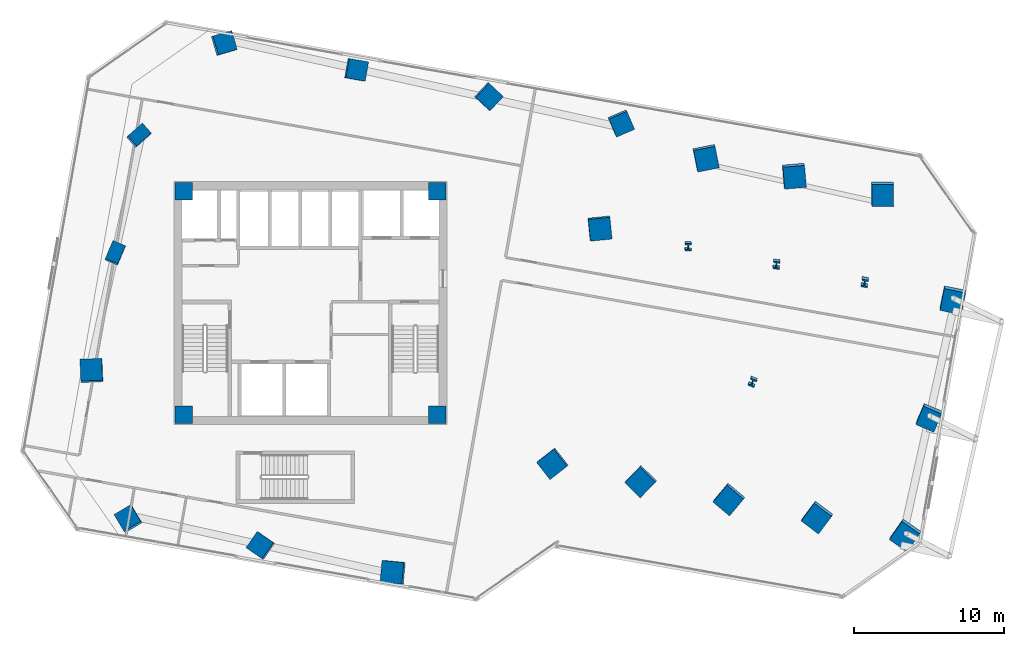
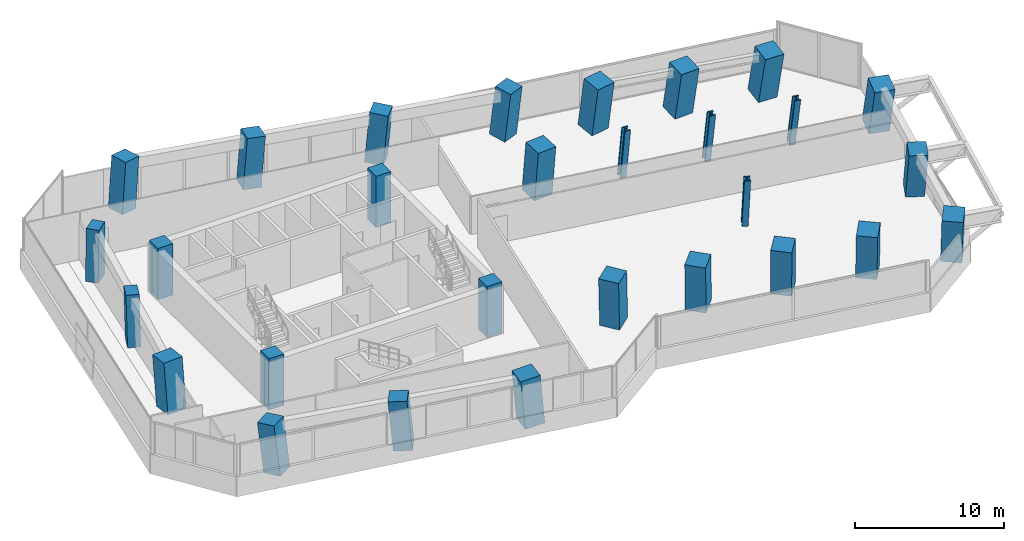
# One storey, part 1 of 24: 29 columns.
"""IFC4 building model written with IfcOpenShell, lengths in metres."""

from ifc_helpers import new_model, si_unit, direction, frame, origin, origin_2d, place, context, subcontext, project, spatial, rectangle, i_section, extrude, clip, halfspace, source, transform, mapped, material, material_profile, profile_set, type_object, element, save


model = new_model("IFC4")

# Units and contexts
model_context = context("Model", 3, precision=1e-05, world=origin(), true_north=direction((0.0, 1.0)))
body_context = subcontext(model_context, "Body", "Model", "MODEL_VIEW")
ifc_project = project(units=[si_unit("LENGTHUNIT", "METRE"), si_unit("AREAUNIT", "SQUARE_METRE"), si_unit("VOLUMEUNIT", "CUBIC_METRE"), si_unit("PLANEANGLEUNIT", "RADIAN"), si_unit("MASSUNIT", "GRAM", prefix="KILO")], contexts=[model_context])

# Site, building, storey
site_placement = place(None, origin())
site = spatial("IfcSite", under=ifc_project, at=site_placement, CompositionType="ELEMENT")
building_placement = place(site_placement, origin())
building = spatial("IfcBuilding", under=site, at=building_placement, Name="Torre Montelarca", CompositionType="ELEMENT")
storey_placement = place(building_placement, frame((0.0, 0.0, 83.199951171875)))
storey = spatial("IfcBuildingStorey", under=building, at=storey_placement, Name="L18", CompositionType="ELEMENT", Elevation=83.199951171875)

# Columns
ifc_material_1 = material(Name="Concrete C55/67", Category="concrete")
ifc_material_profile_1 = material_profile(ifc_material_1, rectangle(XDim=0.89990234375, YDim=1.300048828125, at=origin_2d()), Name="RC1300X900", Category="concrete")
ifc_profile_set_1 = profile_set([ifc_material_profile_1], Name="Concrete C55/67")
column_type_1 = type_object("IfcColumnType", Name="COL-PIL1300-EXT", PredefinedType="PILASTER", material=ifc_profile_set_1)
column_1_placement = place(storey_placement, frame((4.973876953125, 35.287353515625, 0.0), z_axis=(0.017893633149, 0.085298775496, 0.99619472835), x_axis=(0.919991135034, -0.391570177002, 0.017003174446)))
element("IfcColumn", 1, at=column_1_placement, inside=storey, type_object=column_type_1, Name="L18 Column 1W/E", PredefinedType="PILASTER", context=body_context, shape_type="Clipping", body=[
    clip(clip(extrude(rectangle(XDim=0.89990234375, YDim=1.300048828125, at=origin_2d()), origin(), (0.0, 0.0, 1.0), 4.216064453125), halfspace(frame((0.0, 0.0, 0.064208984375), z_axis=(0.0, 0.0, -1.0), x_axis=(1.0, 0.0, 0.0)), False)), halfspace(frame((0.0, 0.0, 4.15185546875), z_axis=(0.0, 0.0, 1.0), x_axis=(1.0, 0.0, 0.0)), False)),
])
column_2_placement = place(storey_placement, frame((6.534423828125, 43.133544921875, 0.0), z_axis=(0.058436761901, 0.076777804992, 0.995334272252), x_axis=(0.662840315572, -0.748524139363, 0.018823624612)))
element("IfcColumn", 2, at=column_2_placement, inside=storey, type_object=column_type_1, Name="L18 Column 1W/F", PredefinedType="PILASTER", context=body_context, shape_type="Clipping", body=[
    clip(clip(extrude(rectangle(XDim=0.89990234375, YDim=1.300048828125, at=origin_2d()), origin(), (0.0, 0.0, 1.0), 4.2197265625), halfspace(frame((0.0, 0.0, 0.071044921875), z_axis=(0.0, 0.0, -1.0), x_axis=(1.0, 0.0, 0.0)), False)), halfspace(frame((0.0, 0.0, 4.148681640625), z_axis=(0.0, 0.0, 1.0), x_axis=(1.0, 0.0, 0.0)), False)),
])
ifc_material_2 = material(Name="Concrete C70/85", Category="concrete")
ifc_material_profile_2 = material_profile(ifc_material_2, rectangle(XDim=1.300048828125, YDim=1.300048828125, at=origin_2d()), Name="RC1300X1300", Category="concrete")
ifc_profile_set_2 = profile_set([ifc_material_profile_2], Name="Concrete C70/85")
column_type_2 = type_object("IfcColumnType", Name="COL-RC1300-EXT", PredefinedType="COLUMN", material=ifc_profile_set_2)
column_3_placement = place(storey_placement, frame((5.884521484375, 17.569091796875, 0.0), z_axis=(-0.073609459843, 0.081409520345, 0.993958820786), x_axis=(0.857547812534, 0.513958442748, 0.021411873937)))
element("IfcColumn", 3, at=column_3_placement, inside=storey, type_object=column_type_2, Name="L18 Column 2/CS", PredefinedType="COLUMN", context=body_context, shape_type="Clipping", body=[
    clip(clip(extrude(rectangle(XDim=1.300048828125, YDim=1.300048828125, at=origin_2d()), origin(), (0.0, 0.0, 1.0), 4.2255859375), halfspace(frame((0.0, 0.0, 0.085205078125), z_axis=(0.0, 0.0, -1.0), x_axis=(1.0, 0.0, 0.0)), False)), halfspace(frame((0.0, 0.0, 4.140380859375), z_axis=(0.0, 0.0, 1.0), x_axis=(1.0, 0.0, 0.0)), False)),
])
column_4_placement = place(storey_placement, frame((12.19580078125, 49.297607421875, 0.0), z_axis=(0.08992438855, 0.047072959666, 0.994835534554), x_axis=(0.282913077734, -0.95894112648, 0.019801676514)))
element("IfcColumn", 4, at=column_4_placement, inside=storey, type_object=column_type_2, Name="L18 Column 2/GN", PredefinedType="COLUMN", context=body_context, shape_type="Clipping", body=[
    clip(clip(extrude(rectangle(XDim=1.300048828125, YDim=1.300048828125, at=origin_2d()), origin(), (0.0, 0.0, 1.0), 4.2216796875), halfspace(frame((0.0, 0.0, 0.07861328125), z_axis=(0.0, 0.0, -1.0), x_axis=(1.0, 0.0, 0.0)), False)), halfspace(frame((0.0, 0.0, 4.14306640625), z_axis=(0.0, 0.0, 1.0), x_axis=(1.0, 0.0, 0.0)), False)),
])
column_5_placement = place(storey_placement, frame((14.711669921875, 15.813232421875, 0.0), z_axis=(-0.083360516203, 0.03600711186, 0.99586872239), x_axis=(0.567271375027, 0.823340368185, 0.017715111959)))
element("IfcColumn", 5, at=column_5_placement, inside=storey, type_object=column_type_2, Name="L18 Column 3/CS", PredefinedType="COLUMN", context=body_context, shape_type="Clipping", body=[
    clip(clip(extrude(rectangle(XDim=1.300048828125, YDim=1.300048828125, at=origin_2d()), origin(), (0.0, 0.0, 1.0), 4.21728515625), halfspace(frame((0.0, 0.0, 0.0703125), z_axis=(0.0, 0.0, -1.0), x_axis=(1.0, 0.0, 0.0)), False)), halfspace(frame((0.0, 0.0, 4.14697265625), z_axis=(0.0, 0.0, 1.0), x_axis=(1.0, 0.0, 0.0)), False)),
])
column_6_placement = place(storey_placement, frame((21.02294921875, 47.541748046875, 0.0), z_axis=(0.08047972565, 0.001564400715, 0.996755018252), x_axis=(-0.175359189945, -0.984379269258, 0.015703781614)))
element("IfcColumn", 6, at=column_6_placement, inside=storey, type_object=column_type_2, Name="L18 Column 3/GN", PredefinedType="COLUMN", context=body_context, shape_type="Clipping", body=[
    clip(clip(extrude(rectangle(XDim=1.300048828125, YDim=1.300048828125, at=origin_2d()), origin(), (0.0, 0.0, 1.0), 4.213623046875), halfspace(frame((0.0, 0.0, 0.0625), z_axis=(0.0, 0.0, -1.0), x_axis=(1.0, 0.0, 0.0)), False)), halfspace(frame((0.0, 0.0, 4.151123046875), z_axis=(0.0, 0.0, 1.0), x_axis=(1.0, 0.0, 0.0)), False)),
])
column_7_placement = place(storey_placement, frame((29.849853515625, 45.785888671875, 0.0), z_axis=(0.070902338446, -0.043966401046, 0.996513830301), x_axis=(-0.682096199102, -0.731081301131, 0.016275942576)))
element("IfcColumn", 7, at=column_7_placement, inside=storey, type_object=column_type_2, Name="L18 Column 4/GN", PredefinedType="COLUMN", context=body_context, shape_type="Clipping", body=[
    clip(clip(extrude(rectangle(XDim=1.300048828125, YDim=1.300048828125, at=origin_2d()), origin(), (0.0, 0.0, 1.0), 4.214599609375), halfspace(frame((0.0, 0.0, 0.064697265625), z_axis=(0.0, 0.0, -1.0), x_axis=(1.0, 0.0, 0.0)), False)), halfspace(frame((0.0, 0.0, 4.14990234375), z_axis=(0.0, 0.0, 1.0), x_axis=(1.0, 0.0, 0.0)), False)),
])
column_8_placement = place(storey_placement, frame((38.677001953125, 44.030029296875, 0.0), z_axis=(0.061139454433, -0.089339883321, 0.994122906063), x_axis=(-0.91892960919, -0.393855710666, 0.021119955696)))
element("IfcColumn", 8, at=column_8_placement, inside=storey, type_object=column_type_2, Name="L18 Column 5/GN", PredefinedType="COLUMN", context=body_context, shape_type="Clipping", body=[
    clip(clip(extrude(rectangle(XDim=1.300048828125, YDim=1.300048828125, at=origin_2d()), origin(), (0.0, 0.0, 1.0), 4.224853515625), halfspace(frame((0.0, 0.0, 0.083984375), z_axis=(0.0, 0.0, -1.0), x_axis=(1.0, 0.0, 0.0)), False)), halfspace(frame((0.0, 0.0, 4.140869140625), z_axis=(0.0, 0.0, 1.0), x_axis=(1.0, 0.0, 0.0)), False)),
])
column_9_placement = place(storey_placement, frame((59.26025390625, 24.489013671875, 0.0), z_axis=(-0.040356383482, -0.191920823704, 0.980580317843), x_axis=(-0.920430264071, 0.389029879479, 0.038260709018)))
element("IfcColumn", 9, at=column_9_placement, inside=storey, type_object=column_type_2, Name="L18 Column 9/E", PredefinedType="COLUMN", context=body_context, shape_type="Clipping", body=[
    clip(clip(extrude(rectangle(XDim=1.300048828125, YDim=1.300048828125, at=origin_2d()), origin(), (0.0, 0.0, 1.0), 4.283203125), halfspace(frame((0.0, 0.0, 0.153564453125), z_axis=(0.0, 0.0, -1.0), x_axis=(1.0, 0.0, 0.0)), False)), halfspace(frame((0.0, 0.0, 4.129638671875), z_axis=(0.0, 0.0, 1.0), x_axis=(1.0, 0.0, 0.0)), False)),
])
ifc_material_profile_3 = material_profile(ifc_material_2, rectangle(XDim=1.449951171875, YDim=1.449951171875, at=origin_2d()), Name="RC1450X1450", Category="concrete")
ifc_profile_set_3 = profile_set([ifc_material_profile_3], Name="Concrete C70/85")
column_type_3 = type_object("IfcColumnType", Name="COL-RC1450", PredefinedType="COLUMN", material=ifc_profile_set_3)
for number, where, z_axis, x_axis, name in (
    (10, (34.16064453125, 21.324951171875, 0.0), (-0.055946393667, -0.064923299483, 0.996320714539), (-0.616095914632, 0.787493663638, 0.016719859525), "L18 Column 5/D"),
    (11, (37.281982421875, 37.017578125, 0.0), (0.025077424254, -0.08195047418, 0.996320853227), (-0.994733136983, -0.101125877021, 0.016719544982), "L18 Column 5/F"),
):
    element("IfcColumn", number, at=place(storey_placement, frame(where, z_axis=z_axis, x_axis=x_axis)), inside=storey, type_object=column_type_3, Name=name, PredefinedType="COLUMN", context=body_context, shape_type="Clipping", body=[
        clip(clip(extrude(rectangle(XDim=1.449951171875, YDim=1.449951171875, at=origin_2d()), origin(), (0.0, 0.0, 1.0), 4.215576171875), halfspace(frame((0.0, 0.0, 0.073974609375), z_axis=(0.0, 0.0, -1.0), x_axis=(1.0, 0.0, 0.0)), False)), halfspace(frame((0.0, 0.0, 4.1416015625), z_axis=(0.0, 0.0, 1.0), x_axis=(1.0, 0.0, 0.0)), False)),
    ])
column_10_placement = place(storey_placement, frame((40.04541015625, 20.154296875, 0.0), z_axis=(-0.062142880438, -0.095004682454, 0.993535290124), x_axis=(-0.714688689092, 0.699091962174, 0.022147372453)))
element("IfcColumn", 12, at=column_10_placement, inside=storey, type_object=column_type_3, Name="L18 Column 6/D", PredefinedType="COLUMN", context=body_context, shape_type="Clipping", body=[
    clip(clip(extrude(rectangle(XDim=1.449951171875, YDim=1.449951171875, at=origin_2d()), origin(), (0.0, 0.0, 1.0), 4.227294921875), halfspace(frame((0.0, 0.0, 0.09814453125), z_axis=(0.0, 0.0, -1.0), x_axis=(1.0, 0.0, 0.0)), False)), halfspace(frame((0.0, 0.0, 4.129150390625), z_axis=(0.0, 0.0, 1.0), x_axis=(1.0, 0.0, 0.0)), False)),
])
column_11_placement = place(storey_placement, frame((44.33740234375, 41.731689453125, 0.0), z_axis=(0.048831372858, -0.118186911876, 0.991789973173), x_axis=(-0.9803469828, -0.195697234694, 0.024947658159)))
element("IfcColumn", 13, at=column_11_placement, inside=storey, type_object=column_type_3, Name="L18 Column 6/G", PredefinedType="COLUMN", context=body_context, shape_type="Clipping", body=[
    clip(clip(extrude(rectangle(XDim=1.449951171875, YDim=1.449951171875, at=origin_2d()), origin(), (0.0, 0.0, 1.0), 4.234619140625), halfspace(frame((0.0, 0.0, 0.110595703125), z_axis=(0.0, 0.0, -1.0), x_axis=(1.0, 0.0, 0.0)), False)), halfspace(frame((0.0, 0.0, 4.1240234375), z_axis=(0.0, 0.0, 1.0), x_axis=(1.0, 0.0, 0.0)), False)),
])
column_12_placement = place(storey_placement, frame((45.93017578125, 18.98388671875, 0.0), z_axis=(-0.068297268536, -0.12485684307, 0.989821323194), x_axis=(-0.767794892837, 0.640093852606, 0.02776440867)))
element("IfcColumn", 14, at=column_12_placement, inside=storey, type_object=column_type_3, Name="L18 Column 7/D", PredefinedType="COLUMN", context=body_context, shape_type="Clipping", body=[
    clip(clip(extrude(rectangle(XDim=1.449951171875, YDim=1.449951171875, at=origin_2d()), origin(), (0.0, 0.0, 1.0), 4.2431640625), halfspace(frame((0.0, 0.0, 0.123291015625), z_axis=(0.0, 0.0, -1.0), x_axis=(1.0, 0.0, 0.0)), False)), halfspace(frame((0.0, 0.0, 4.119873046875), z_axis=(0.0, 0.0, 1.0), x_axis=(1.0, 0.0, 0.0)), False)),
])
column_13_placement = place(storey_placement, frame((50.22216796875, 40.56103515625, 0.0), z_axis=(0.042331730969, -0.14784514995, 0.988104162621), x_axis=(-0.995958791964, -0.084651957727, 0.0300021793)))
element("IfcColumn", 15, at=column_13_placement, inside=storey, type_object=column_type_3, Name="L18 Column 7/G", PredefinedType="COLUMN", context=body_context, shape_type="Clipping", body=[
    clip(clip(extrude(rectangle(XDim=1.449951171875, YDim=1.449951171875, at=origin_2d()), origin(), (0.0, 0.0, 1.0), 4.25048828125), halfspace(frame((0.0, 0.0, 0.133544921875), z_axis=(0.0, 0.0, -1.0), x_axis=(1.0, 0.0, 0.0)), False)), halfspace(frame((0.0, 0.0, 4.116943359375), z_axis=(0.0, 0.0, 1.0), x_axis=(1.0, 0.0, 0.0)), False)),
])
column_14_placement = place(storey_placement, frame((51.814697265625, 17.813232421875, 0.0), z_axis=(-0.074279589479, -0.154343480065, 0.985221108558), x_axis=(-0.800413591464, 0.598516014342, 0.033416510523)))
element("IfcColumn", 16, at=column_14_placement, inside=storey, type_object=column_type_3, Name="L18 Column 8/D", PredefinedType="COLUMN", context=body_context, shape_type="Clipping", body=[
    clip(clip(extrude(rectangle(XDim=1.449951171875, YDim=1.449951171875, at=origin_2d()), origin(), (0.0, 0.0, 1.0), 4.262939453125), halfspace(frame((0.0, 0.0, 0.14892578125), z_axis=(0.0, 0.0, -1.0), x_axis=(1.0, 0.0, 0.0)), False)), halfspace(frame((0.0, 0.0, 4.114013671875), z_axis=(0.0, 0.0, 1.0), x_axis=(1.0, 0.0, 0.0)), False)),
])
column_15_placement = place(storey_placement, frame((56.106689453125, 39.390625, 0.0), z_axis=(0.035846347548, -0.177230745453, 0.983516294849), x_axis=(-0.999357313097, -0.00636826981, 0.035276137819)))
element("IfcColumn", 17, at=column_15_placement, inside=storey, type_object=column_type_3, Name="L18 Column 8/G", PredefinedType="COLUMN", context=body_context, shape_type="Clipping", body=[
    clip(clip(extrude(rectangle(XDim=1.449951171875, YDim=1.449951171875, at=origin_2d()), origin(), (0.0, 0.0, 1.0), 4.270263671875), halfspace(frame((0.0, 0.0, 0.157470703125), z_axis=(0.0, 0.0, -1.0), x_axis=(1.0, 0.0, 0.0)), False)), halfspace(frame((0.0, 0.0, 4.11279296875), z_axis=(0.0, 0.0, 1.0), x_axis=(1.0, 0.0, 0.0)), False)),
])
ifc_material_profile_4 = material_profile(ifc_material_2, rectangle(XDim=1.449951171875, YDim=1.449951171875, at=origin_2d()), Name="RC1450X1450", Category="concrete")
ifc_profile_set_4 = profile_set([ifc_material_profile_4], Name="Concrete C70/85")
column_type_4 = type_object("IfcColumnType", Name="COL-RC1450-EXT", PredefinedType="COLUMN", material=ifc_profile_set_4)
column_16_placement = place(storey_placement, frame((23.538818359375, 14.0576171875, 0.0), z_axis=(-0.092890023876, -0.009549441707, 0.995630579898), x_axis=(0.092919771311, 0.995506926364, 0.018217454851)))
element("IfcColumn", 18, at=column_16_placement, inside=storey, type_object=column_type_4, Name="L18 Perimeter Mega Column 4/CS", PredefinedType="COLUMN", context=body_context, shape_type="Clipping", body=[
    clip(clip(extrude(rectangle(XDim=1.449951171875, YDim=1.449951171875, at=origin_2d()), origin(), (0.0, 0.0, 1.0), 4.21826171875), halfspace(frame((0.0, 0.0, 0.080810546875), z_axis=(0.0, 0.0, -1.0), x_axis=(1.0, 0.0, 0.0)), False)), halfspace(frame((0.0, 0.0, 4.137451171875), z_axis=(0.0, 0.0, 1.0), x_axis=(1.0, 0.0, 0.0)), False)),
])
for number, where, z_axis, x_axis, name in (
    (19, (57.699462890625, 16.642578125, 0.0), (-0.08013422256, -0.183334799163, 0.979778984154), (-0.822133401943, 0.567955102679, 0.039034225367), "L18 Perimeter Mega Column 9/D"),
    (20, (60.821044921875, 32.335205078125, 0.0), (-0.000512580103, -0.20013405349, 0.979768389924), (-0.980292512005, 0.193654666945, 0.039044345), "L18 Perimeter Mega Column 9/F"),
):
    element("IfcColumn", number, at=place(storey_placement, frame(where, z_axis=z_axis, x_axis=x_axis)), inside=storey, type_object=column_type_4, Name=name, PredefinedType="COLUMN", context=body_context, shape_type="Clipping", body=[
        clip(clip(extrude(rectangle(XDim=1.449951171875, YDim=1.449951171875, at=origin_2d()), origin(), (0.0, 0.0, 1.0), 4.28662109375), halfspace(frame((0.0, 0.0, 0.1748046875), z_axis=(0.0, 0.0, -1.0), x_axis=(1.0, 0.0, 0.0)), False)), halfspace(frame((0.0, 0.0, 4.11181640625), z_axis=(0.0, 0.0, 1.0), x_axis=(1.0, 0.0, 0.0)), False)),
    ])
column_17_placement = place(storey_placement, frame((3.4130859375, 27.44091796875, 0.0), z_axis=(-0.022564738885, 0.093788312134, 0.995336418035), x_axis=(0.998997038041, 0.040629443972, 0.018819305712)))
element("IfcColumn", 21, at=column_17_placement, inside=storey, type_object=column_type_4, Name="L18 Perimeter Mega Column 1W/D", PredefinedType="COLUMN", context=body_context, shape_type="Clipping", body=[
    clip(clip(extrude(rectangle(XDim=1.449951171875, YDim=1.449951171875, at=origin_2d()), origin(), (0.0, 0.0, 1.0), 4.2197265625), halfspace(frame((0.0, 0.0, 0.083251953125), z_axis=(0.0, 0.0, -1.0), x_axis=(1.0, 0.0, 0.0)), False)), halfspace(frame((0.0, 0.0, 4.136474609375), z_axis=(0.0, 0.0, 1.0), x_axis=(1.0, 0.0, 0.0)), False)),
])
ifc_material_3 = material(Name="Steel ASTM A992 Grade 50", Category="steel")
ifc_material_profile_5 = material_profile(ifc_material_3, i_section(OverallWidth=0.431884765625, OverallDepth=0.498046875, WebThickness=0.0556640625, FlangeThickness=0.0888671875, FilletRadius=0.014892578125, at=origin_2d()), Name="W360X744", Category="steel")
ifc_profile_set_5 = profile_set([ifc_material_profile_5], Name="Steel ASTM A992 Grade 50")
column_type_5 = type_object("IfcColumnType", Name="COL-W360X744", PredefinedType="COLUMN", material=ifc_profile_set_5)
column_18_placement = place(storey_placement, frame((43.166748046875, 35.846923828125, 0.0), z_axis=(0.018654286429, -0.112041224991, 0.993528450272), x_axis=(-0.999300711644, 0.030117508478, 0.022159047626)))
element("IfcColumn", 22, at=column_18_placement, inside=storey, type_object=column_type_5, Name="L18 Column 6/F", PredefinedType="COLUMN", context=body_context, shape_type="Clipping", body=[
    clip(clip(extrude(i_section(OverallWidth=0.431884765625, OverallDepth=0.498046875, WebThickness=0.0556640625, FlangeThickness=0.0888671875, FilletRadius=0.014892578125, at=origin_2d()), origin(), (0.0, 0.0, 1.0), 4.227294921875), halfspace(frame((0.0, 0.0, 0.033447265625), z_axis=(0.0, 0.0, -1.0), x_axis=(1.0, 0.0, 0.0)), False)), halfspace(frame((0.0, 0.0, 4.19384765625), z_axis=(0.0, 0.0, 1.0), x_axis=(1.0, 0.0, 0.0)), False)),
])
column_19_placement = place(storey_placement, frame((47.49072265625, 26.830078125, 0.0), z_axis=(-0.028044655576, -0.133428063593, 0.990661621917), x_axis=(-0.920059478184, 0.390874703648, 0.026599297941)))
element("IfcColumn", 23, at=column_19_placement, inside=storey, type_object=column_type_5, Name="L18 Column 7/E", PredefinedType="COLUMN", context=body_context, shape_type="Clipping", body=[
    clip(clip(extrude(i_section(OverallWidth=0.431884765625, OverallDepth=0.498046875, WebThickness=0.0556640625, FlangeThickness=0.0888671875, FilletRadius=0.014892578125, at=origin_2d()), origin(), (0.0, 0.0, 1.0), 4.239501953125), halfspace(frame((0.0, 0.0, 0.0400390625), z_axis=(0.0, 0.0, -1.0), x_axis=(1.0, 0.0, 0.0)), False)), halfspace(frame((0.0, 0.0, 4.199462890625), z_axis=(0.0, 0.0, 1.0), x_axis=(1.0, 0.0, 0.0)), False)),
])
column_20_placement = place(storey_placement, frame((49.051513671875, 34.676513671875, 0.0), z_axis=(0.012255457878, -0.141829594687, 0.98981522004), x_axis=(-0.993768135654, 0.107951703672, 0.027772688627)))
element("IfcColumn", 24, at=column_20_placement, inside=storey, type_object=column_type_5, Name="L18 Column 7/F", PredefinedType="COLUMN", context=body_context, shape_type="Clipping", body=[
    clip(clip(extrude(i_section(OverallWidth=0.431884765625, OverallDepth=0.498046875, WebThickness=0.0556640625, FlangeThickness=0.0888671875, FilletRadius=0.014892578125, at=origin_2d()), origin(), (0.0, 0.0, 1.0), 4.2431640625), halfspace(frame((0.0, 0.0, 0.0419921875), z_axis=(0.0, 0.0, -1.0), x_axis=(1.0, 0.0, 0.0)), False)), halfspace(frame((0.0, 0.0, 4.201171875), z_axis=(0.0, 0.0, 1.0), x_axis=(1.0, 0.0, 0.0)), False)),
])
column_21_placement = place(storey_placement, frame((54.936279296875, 33.505859375, 0.0), z_axis=(0.005841578208, -0.171181149654, 0.985222254097), x_axis=(-0.98676998796, 0.158645559647, 0.033415225051)))
element("IfcColumn", 25, at=column_21_placement, inside=storey, type_object=column_type_5, Name="L18 Column 8/F", PredefinedType="COLUMN", context=body_context, shape_type="Clipping", body=[
    clip(clip(extrude(i_section(OverallWidth=0.431884765625, OverallDepth=0.498046875, WebThickness=0.0556640625, FlangeThickness=0.0888671875, FilletRadius=0.014892578125, at=origin_2d()), origin(), (0.0, 0.0, 1.0), 4.262939453125), halfspace(frame((0.0, 0.0, 0.050537109375), z_axis=(0.0, 0.0, -1.0), x_axis=(1.0, 0.0, 0.0)), False)), halfspace(frame((0.0, 0.0, 4.21240234375), z_axis=(0.0, 0.0, 1.0), x_axis=(1.0, 0.0, 0.0)), False)),
])
ifc_material_profile_6 = material_profile(ifc_material_1, rectangle(XDim=1.14990234375, YDim=1.14990234375, at=origin_2d()), Name="RC1150X1150", Category="concrete")
ifc_profile_set_6 = profile_set([ifc_material_profile_6], Name="Concrete C55/67")
column_type_6 = type_object("IfcColumnType", Name="COL-RC1150", PredefinedType="COLUMN", material=ifc_profile_set_6)
shared_shape = source(origin(), body_context, "Body", "SweptSolid", [
    extrude(rectangle(XDim=1.14990234375, YDim=1.14990234375, at=origin_2d()), origin(), (0.0, 0.0, 1.0), 4.198486328125),
])
for number, where, z_axis, x_axis, name in (
    (26, (9.550048828125, 24.550048828125, 0.000732421875), (0.0, 0.0, 1.0), (1.0, 0.0, 0.0), "L18 Plumb Core Corner Column 2D"),
    (27, (26.449951171875, 24.550048828125, 0.000732421875), (0.0, 0.0, 1.0), (1.0, 0.0, 0.0), "L18 Plumb Core Corner Column 4D"),
    (28, (9.550048828125, 39.449951171875, 0.000732421875), (0.0, 0.0, 1.0), (1.0, 0.0, 0.0), "L18 Plumb Core Corner Column 2F"),
    (29, (26.449951171875, 39.449951171875, 0.000732421875), (0.0, 0.0, 1.0), (1.0, 0.0, 0.0), "L18 Plumb Core Corner Column 4F"),
):
    element("IfcColumn", number, at=place(storey_placement, frame(where, z_axis=z_axis, x_axis=x_axis)), inside=storey, type_object=column_type_6, Name=name, PredefinedType="COLUMN", context=body_context, shape_type="MappedRepresentation", body=[
        mapped(shared_shape, transform((0.0, 0.0, 0.0), scale=1.0)),
    ])

save(model, "model.ifc")
